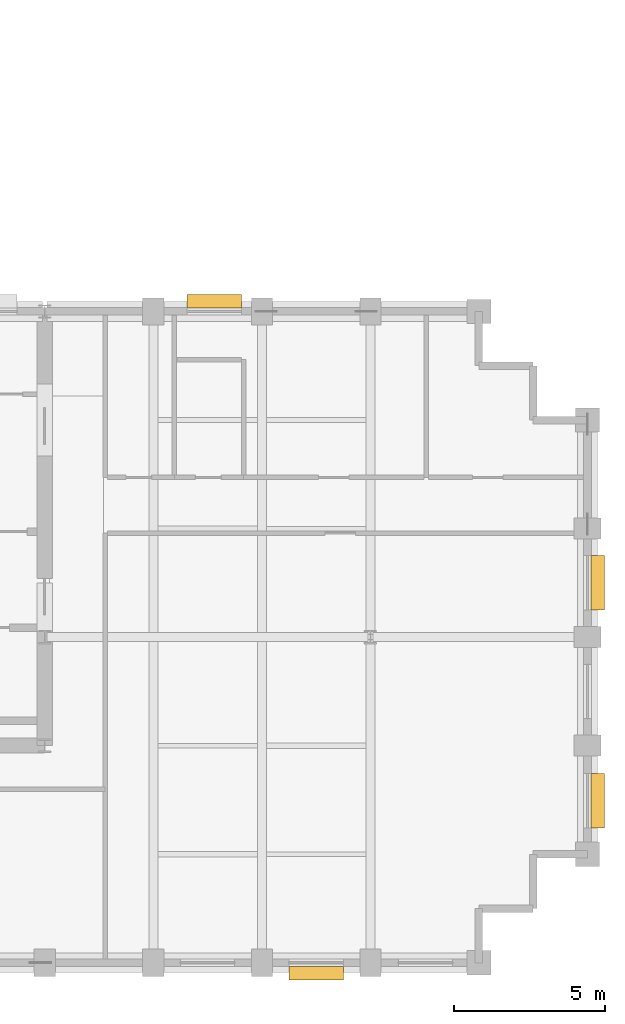
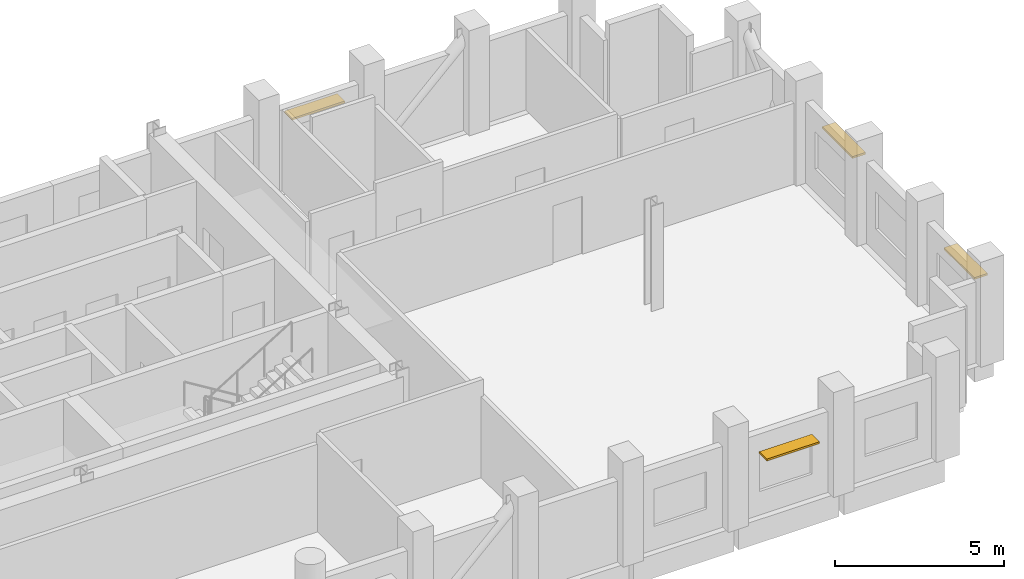
# One storey, part 8 of 8: 4 shading devices.
"""IFC4 building model written with IfcOpenShell, lengths in metres."""

from ifc_helpers import new_model, si_unit, direction, frame, origin, origin_2d, place, context, subcontext, project, spatial, rectangle, extrude, material, layer, layer_set, type_object, element, save


model = new_model("IFC4")

# Units and contexts
model_context = context("Model", 3, precision=1e-05, world=origin(), true_north=direction((0.0, 1.0)))
body_context = subcontext(model_context, "Body", "Model", "MODEL_VIEW")
ifc_project = project(units=[si_unit("LENGTHUNIT", "METRE"), si_unit("AREAUNIT", "SQUARE_METRE"), si_unit("VOLUMEUNIT", "CUBIC_METRE"), si_unit("PLANEANGLEUNIT", "RADIAN"), si_unit("MASSUNIT", "GRAM", prefix="KILO")], contexts=[model_context])

# Site, building, storey
site_placement = place(None, origin())
site = spatial("IfcSite", under=ifc_project, at=site_placement, CompositionType="ELEMENT")
building_placement = place(site_placement, origin())
building = spatial("IfcBuilding", under=site, at=building_placement, Name="Solnavia Interchange Tower", CompositionType="ELEMENT")
storey_placement = place(building_placement, frame((0.0, 0.0, 190.0)))
storey = spatial("IfcBuildingStorey", under=building, at=storey_placement, Name="L47", CompositionType="ELEMENT", Elevation=190.0)

# Shading devices
ifc_material = material(Name="Anodised Aluminium Sunshade", Category="aluminium")
ifc_layer = layer(ifc_material, 0.070068359375)
ifc_layer_set = layer_set([ifc_layer], Name="Anodised Aluminium Sunshade")
shading_device_type = type_object("IfcShadingDeviceType", Name="Sunshade-Band-450", PredefinedType="JALOUSIE", material=ifc_layer_set)
for number, where, z_axis, x_axis, name in (
    (1, (41.39990234375, 3.2548828125, 2.22509765625), (0.0, 0.0, 1.0), (-1.0, 0.0, 0.0), "SHD-L47-05 Horizontal sunshade band"),
    (2, (50.7451171875, 8.97509765625, 2.22509765625), (0.0, 0.0, 1.0), (0.0, -1.0, 0.0), "SHD-L47-11 Horizontal sunshade band"),
    (3, (50.7451171875, 16.199951171875, 2.22509765625), (0.0, 0.0, 1.0), (0.0, -1.0, 0.0), "SHD-L47-13 Horizontal sunshade band"),
    (4, (38.02001953125, 25.544921875, 2.22509765625), (0.0, 0.0, 1.0), (1.0, 0.0, 0.0), "SHD-L47-21 Horizontal sunshade band"),
):
    element("IfcShadingDevice", number, at=place(storey_placement, frame(where, z_axis=z_axis, x_axis=x_axis)), inside=storey, type_object=shading_device_type, Name=name, PredefinedType="JALOUSIE", context=body_context, shape_type="SweptSolid", body=[
        extrude(rectangle(XDim=1.800048828125, YDim=0.449951171875, at=origin_2d()), origin(), (0.0, 0.0, 1.0), 0.070068359375),
    ])

save(model, "model.ifc")
